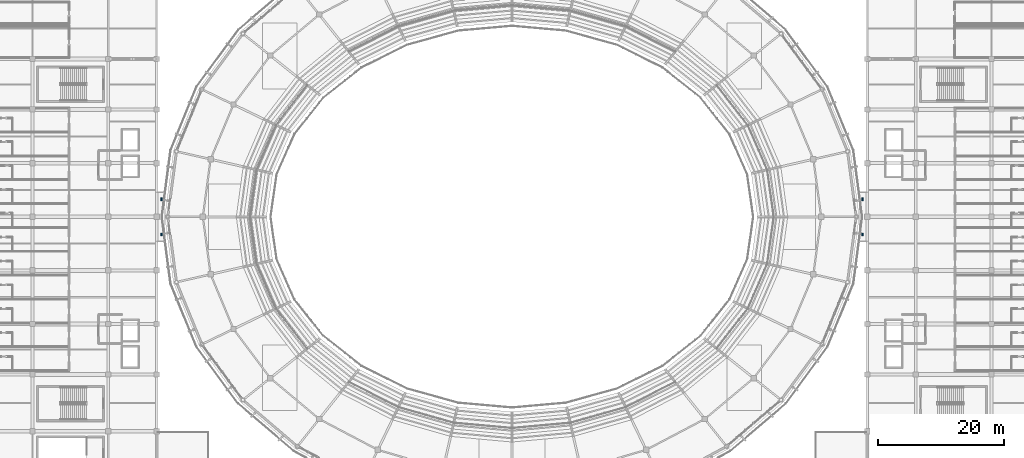
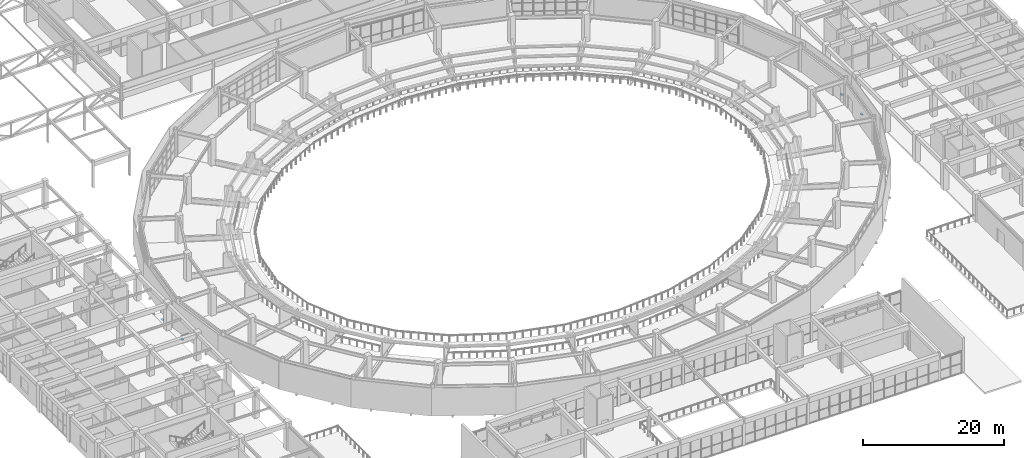
# One storey, part 111 of 122: 4 discrete accessories.
"""IFC4 building model written with IfcOpenShell, lengths in metres."""

from ifc_helpers import new_model, si_unit, direction, frame, origin, origin_2d, place, context, subcontext, project, spatial, rectangle, extrude, material, type_object, element, save


model = new_model("IFC4")

# Units and contexts
model_context = context("Model", 3, precision=1e-05, world=origin(), true_north=direction((0.0, 1.0)))
body_context = subcontext(model_context, "Body", "Model", "MODEL_VIEW")
ifc_project = project(units=[si_unit("LENGTHUNIT", "METRE"), si_unit("AREAUNIT", "SQUARE_METRE"), si_unit("VOLUMEUNIT", "CUBIC_METRE"), si_unit("PLANEANGLEUNIT", "RADIAN"), si_unit("MASSUNIT", "GRAM", prefix="KILO")], contexts=[model_context])

# Site, building, storey
site_placement = place(None, origin())
site = spatial("IfcSite", under=ifc_project, at=site_placement, CompositionType="ELEMENT")
building_placement = place(site_placement, origin())
building = spatial("IfcBuilding", under=site, at=building_placement, Name="Cuetzalor Civic Arena", CompositionType="ELEMENT")
storey_placement = place(building_placement, frame((0.0, 0.0, 16.199951171875)))
storey = spatial("IfcBuildingStorey", under=building, at=storey_placement, Name="L03", CompositionType="ELEMENT", Elevation=16.199951171875)

# Discrete accessories
ifc_material = material(Name="Guided PTFE elastomeric Steel S355 bearing", Category="steel")
discrete_accessory_type = type_object("IfcDiscreteAccessoryType", Name="GuidedSeismicBearing_PTFE", PredefinedType="SHOE", material=ifc_material)
for number, where, z_axis, x_axis, name in (
    (1, (-55.550048828125, -2.800048828125, -0.43994140625), (0.0, 0.0, 1.0), (1.0, 0.0, 0.0), "Guided PTFE Sliding Bridge Bearing V4W-L03-1"),
    (2, (-55.550048828125, 2.800048828125, -0.43994140625), (0.0, 0.0, 1.0), (1.0, 0.0, 0.0), "Guided PTFE Sliding Bridge Bearing V4W-L03-2"),
    (3, (55.550048828125, -2.800048828125, -0.43994140625), (0.0, 0.0, 1.0), (1.0, 0.0, 0.0), "Guided PTFE Sliding Bridge Bearing V4E-L03-1"),
    (4, (55.550048828125, 2.800048828125, -0.43994140625), (0.0, 0.0, 1.0), (1.0, 0.0, 0.0), "Guided PTFE Sliding Bridge Bearing V4E-L03-2"),
):
    element("IfcDiscreteAccessory", number, at=place(storey_placement, frame(where, z_axis=z_axis, x_axis=x_axis)), inside=storey, type_object=discrete_accessory_type, Name=name, PredefinedType="SHOE", context=body_context, shape_type="SweptSolid", body=[
        extrude(rectangle(XDim=0.300048828125, YDim=0.449951171875, at=origin_2d()), origin(), (0.0, 0.0, 1.0), 0.179931640625),
    ])

save(model, "model.ifc")
